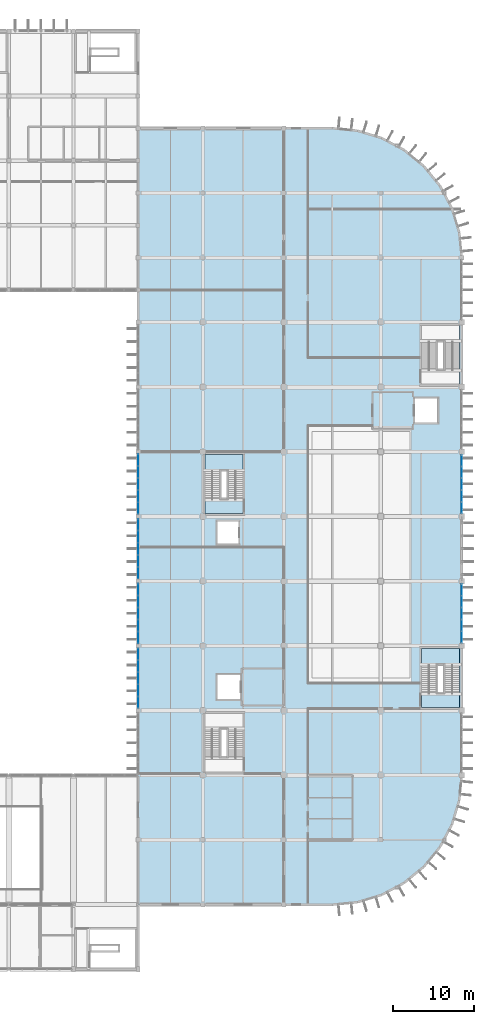
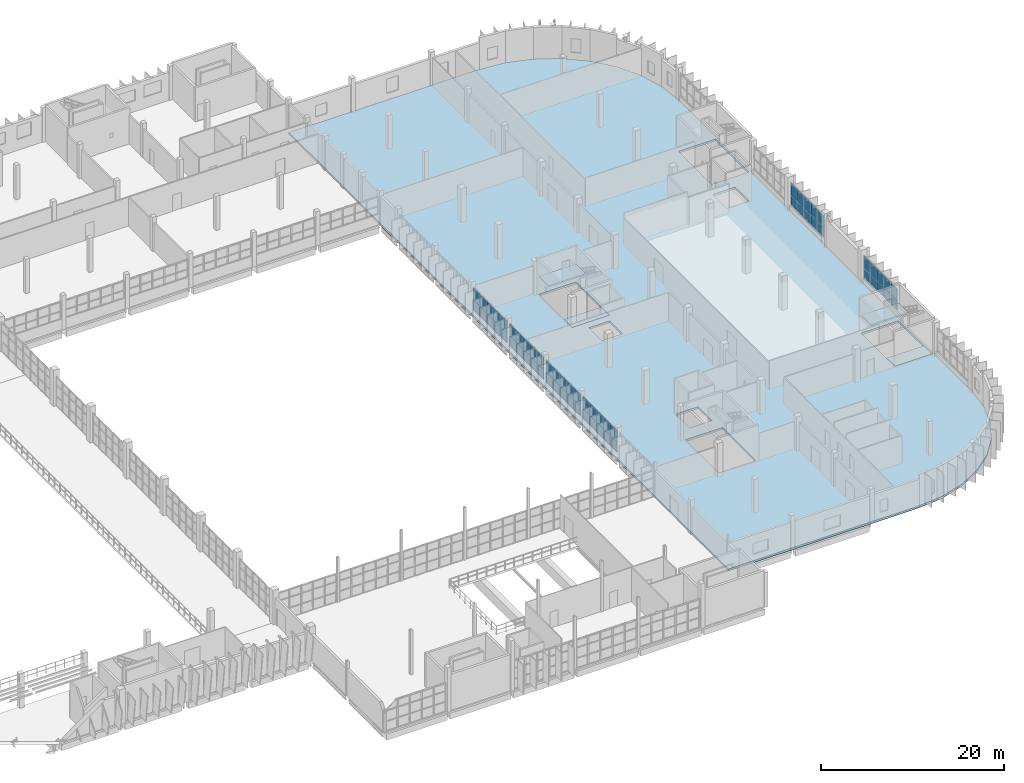
# One storey, part 61 of 93: 60 plates, 5 slabs, 8 elements without a shape of their own.
"""IFC4 building model written with IfcOpenShell, lengths in metres."""

from ifc_helpers import new_model, si_unit, direction, frame, origin, origin_2d, place, context, subcontext, project, spatial, polyline, rectangle, outline, extrude, material, layer, layer_set, type_object, element, aggregate, save


model = new_model("IFC4")

# Units and contexts
model_context = context("Model", 3, precision=1e-05, world=origin(), true_north=direction((0.0, 1.0)))
body_context = subcontext(model_context, "Body", "Model", "MODEL_VIEW")
ifc_project = project(units=[si_unit("LENGTHUNIT", "METRE"), si_unit("AREAUNIT", "SQUARE_METRE"), si_unit("VOLUMEUNIT", "CUBIC_METRE"), si_unit("PLANEANGLEUNIT", "RADIAN"), si_unit("MASSUNIT", "GRAM", prefix="KILO")], contexts=[model_context])

# Site, building, storey
site_placement = place(None, origin())
site = spatial("IfcSite", under=ifc_project, at=site_placement, CompositionType="ELEMENT")
building_placement = place(site_placement, origin())
building = spatial("IfcBuilding", under=site, at=building_placement, Name="Drelvana Railside Aquatics Centre", CompositionType="ELEMENT")
storey_placement = place(building_placement, frame((0.0, 0.0, 5.39990234375)))
storey = spatial("IfcBuildingStorey", under=building, at=storey_placement, Name="L01", CompositionType="ELEMENT", Elevation=5.39990234375)

# Curtain wall, plates
ifc_material_1 = material(Name="Bronze-anodised aluminium curtain wall", Category="aluminium")
ifc_layer_1 = layer(ifc_material_1, 0.175048828125, Name="Bronze-anodised aluminium curtain wall")
ifc_layer_set_1 = layer_set([ifc_layer_1], Name="Bronze-anodised aluminium curtain wall")
curtain_wall_type = type_object("IfcCurtainWallType", Name="CW-Z6-WING", PredefinedType="NOTDEFINED", material=ifc_layer_set_1)
curtain_wall_1_placement = place(storey_placement, origin())
curtain_wall_1 = element("IfcCurtainWall", 1, at=curtain_wall_1_placement, inside=storey, type_object=curtain_wall_type, Name="Curtain wall CW-06-141", PredefinedType="NOTDEFINED")
ifc_material_2 = material(Name="Double-glazed low-e solar-control glass", Category="glass")
ifc_layer_2 = layer(ifc_material_2, 0.02392578125, Name="Double-glazed low-e solar-control glass")
ifc_layer_set_2 = layer_set([ifc_layer_2], Name="Double-glazed low-e solar-control glass")
plate_type = type_object("IfcPlateType", Name="CW-Z6-WING-PAN", PredefinedType="CURTAIN_PANEL", material=ifc_layer_set_2)
plate_1_placement = place(storey_placement, frame((144.0, 33.031494140625, 0.84912109375), z_axis=(0.0, 0.0, 1.0), x_axis=(0.0, 1.0, 0.0)))
plate_1 = element("IfcPlate", 2, at=plate_1_placement, type_object=plate_type, Name="CW-06 panel 1.1", PredefinedType="CURTAIN_PANEL", context=body_context, shape_type="SweptSolid", body=[
    extrude(rectangle(XDim=1.40478515625, YDim=0.02392578125, at=origin_2d()), origin(), (0.0, 0.0, 1.0), 1.27294921875),
])
plate_2_placement = place(storey_placement, frame((144.0, 33.031494140625, 2.171875), z_axis=(0.0, 0.0, 1.0), x_axis=(0.0, 1.0, 0.0)))
plate_2 = element("IfcPlate", 3, at=plate_2_placement, type_object=plate_type, Name="CW-06 panel 1.2", PredefinedType="CURTAIN_PANEL", context=body_context, shape_type="SweptSolid", body=[
    extrude(rectangle(XDim=1.40478515625, YDim=0.02392578125, at=origin_2d()), origin(), (0.0, 0.0, 1.0), 1.572998046875),
])
plate_3_placement = place(storey_placement, frame((144.0, 34.507568359375, 0.84912109375), z_axis=(0.0, 0.0, 1.0), x_axis=(0.0, 1.0, 0.0)))
plate_3 = element("IfcPlate", 4, at=plate_3_placement, type_object=plate_type, Name="CW-06 panel 2.1", PredefinedType="CURTAIN_PANEL", context=body_context, shape_type="SweptSolid", body=[
    extrude(rectangle(XDim=1.4375, YDim=0.02392578125, at=origin_2d()), origin(), (0.0, 0.0, 1.0), 1.27294921875),
])
plate_4_placement = place(storey_placement, frame((144.0, 34.507568359375, 2.171875), z_axis=(0.0, 0.0, 1.0), x_axis=(0.0, 1.0, 0.0)))
plate_4 = element("IfcPlate", 5, at=plate_4_placement, type_object=plate_type, Name="CW-06 panel 2.2", PredefinedType="CURTAIN_PANEL", context=body_context, shape_type="SweptSolid", body=[
    extrude(rectangle(XDim=1.4375, YDim=0.02392578125, at=origin_2d()), origin(), (0.0, 0.0, 1.0), 1.572998046875),
])
plate_5_placement = place(storey_placement, frame((144.0, 36.0, 0.84912109375), z_axis=(0.0, 0.0, 1.0), x_axis=(0.0, 1.0, 0.0)))
plate_5 = element("IfcPlate", 6, at=plate_5_placement, type_object=plate_type, Name="CW-06 panel 3.1", PredefinedType="CURTAIN_PANEL", context=body_context, shape_type="SweptSolid", body=[
    extrude(rectangle(XDim=1.4375, YDim=0.02392578125, at=origin_2d()), origin(), (0.0, 0.0, 1.0), 1.27294921875),
])
plate_6_placement = place(storey_placement, frame((144.0, 36.0, 2.171875), z_axis=(0.0, 0.0, 1.0), x_axis=(0.0, 1.0, 0.0)))
plate_6 = element("IfcPlate", 7, at=plate_6_placement, type_object=plate_type, Name="CW-06 panel 3.2", PredefinedType="CURTAIN_PANEL", context=body_context, shape_type="SweptSolid", body=[
    extrude(rectangle(XDim=1.4375, YDim=0.02392578125, at=origin_2d()), origin(), (0.0, 0.0, 1.0), 1.572998046875),
])
plate_7_placement = place(storey_placement, frame((144.0, 37.492431640625, 0.84912109375), z_axis=(0.0, 0.0, 1.0), x_axis=(0.0, 1.0, 0.0)))
plate_7 = element("IfcPlate", 8, at=plate_7_placement, type_object=plate_type, Name="CW-06 panel 4.1", PredefinedType="CURTAIN_PANEL", context=body_context, shape_type="SweptSolid", body=[
    extrude(rectangle(XDim=1.4375, YDim=0.02392578125, at=origin_2d()), origin(), (0.0, 0.0, 1.0), 1.27294921875),
])
plate_8_placement = place(storey_placement, frame((144.0, 37.492431640625, 2.171875), z_axis=(0.0, 0.0, 1.0), x_axis=(0.0, 1.0, 0.0)))
plate_8 = element("IfcPlate", 9, at=plate_8_placement, type_object=plate_type, Name="CW-06 panel 4.2", PredefinedType="CURTAIN_PANEL", context=body_context, shape_type="SweptSolid", body=[
    extrude(rectangle(XDim=1.4375, YDim=0.02392578125, at=origin_2d()), origin(), (0.0, 0.0, 1.0), 1.572998046875),
])
plate_9_placement = place(storey_placement, frame((144.0, 38.968505859375, 0.84912109375), z_axis=(0.0, 0.0, 1.0), x_axis=(0.0, 1.0, 0.0)))
plate_9 = element("IfcPlate", 10, at=plate_9_placement, type_object=plate_type, Name="CW-06 panel 5.1", PredefinedType="CURTAIN_PANEL", context=body_context, shape_type="SweptSolid", body=[
    extrude(rectangle(XDim=1.40478515625, YDim=0.02392578125, at=origin_2d()), origin(), (0.0, 0.0, 1.0), 1.27294921875),
])
plate_10_placement = place(storey_placement, frame((144.0, 38.968505859375, 2.171875), z_axis=(0.0, 0.0, 1.0), x_axis=(0.0, 1.0, 0.0)))
plate_10 = element("IfcPlate", 11, at=plate_10_placement, type_object=plate_type, Name="CW-06 panel 5.2", PredefinedType="CURTAIN_PANEL", context=body_context, shape_type="SweptSolid", body=[
    extrude(rectangle(XDim=1.40478515625, YDim=0.02392578125, at=origin_2d()), origin(), (0.0, 0.0, 1.0), 1.572998046875),
])
aggregate(curtain_wall_1, [plate_1, plate_2, plate_3, plate_4, plate_5, plate_6, plate_7, plate_8, plate_9, plate_10])

curtain_wall_2_placement = place(storey_placement, origin())
curtain_wall_2 = element("IfcCurtainWall", 12, at=curtain_wall_2_placement, inside=storey, type_object=curtain_wall_type, Name="Curtain wall CW-06-145", PredefinedType="NOTDEFINED")
plate_11_placement = place(storey_placement, frame((144.0, 41.031494140625, 0.84912109375), z_axis=(0.0, 0.0, 1.0), x_axis=(0.0, 1.0, 0.0)))
plate_11 = element("IfcPlate", 13, at=plate_11_placement, type_object=plate_type, Name="CW-06 panel 1.1", PredefinedType="CURTAIN_PANEL", context=body_context, shape_type="SweptSolid", body=[
    extrude(rectangle(XDim=1.40478515625, YDim=0.02392578125, at=origin_2d()), origin(), (0.0, 0.0, 1.0), 1.27294921875),
])
plate_12_placement = place(storey_placement, frame((144.0, 41.031494140625, 2.171875), z_axis=(0.0, 0.0, 1.0), x_axis=(0.0, 1.0, 0.0)))
plate_12 = element("IfcPlate", 14, at=plate_12_placement, type_object=plate_type, Name="CW-06 panel 1.2", PredefinedType="CURTAIN_PANEL", context=body_context, shape_type="SweptSolid", body=[
    extrude(rectangle(XDim=1.40478515625, YDim=0.02392578125, at=origin_2d()), origin(), (0.0, 0.0, 1.0), 1.572998046875),
])
plate_13_placement = place(storey_placement, frame((144.0, 42.507568359375, 0.84912109375), z_axis=(0.0, 0.0, 1.0), x_axis=(0.0, 1.0, 0.0)))
plate_13 = element("IfcPlate", 15, at=plate_13_placement, type_object=plate_type, Name="CW-06 panel 2.1", PredefinedType="CURTAIN_PANEL", context=body_context, shape_type="SweptSolid", body=[
    extrude(rectangle(XDim=1.4375, YDim=0.02392578125, at=origin_2d()), origin(), (0.0, 0.0, 1.0), 1.27294921875),
])
plate_14_placement = place(storey_placement, frame((144.0, 42.507568359375, 2.171875), z_axis=(0.0, 0.0, 1.0), x_axis=(0.0, 1.0, 0.0)))
plate_14 = element("IfcPlate", 16, at=plate_14_placement, type_object=plate_type, Name="CW-06 panel 2.2", PredefinedType="CURTAIN_PANEL", context=body_context, shape_type="SweptSolid", body=[
    extrude(rectangle(XDim=1.4375, YDim=0.02392578125, at=origin_2d()), origin(), (0.0, 0.0, 1.0), 1.572998046875),
])
plate_15_placement = place(storey_placement, frame((144.0, 44.0, 0.84912109375), z_axis=(0.0, 0.0, 1.0), x_axis=(0.0, 1.0, 0.0)))
plate_15 = element("IfcPlate", 17, at=plate_15_placement, type_object=plate_type, Name="CW-06 panel 3.1", PredefinedType="CURTAIN_PANEL", context=body_context, shape_type="SweptSolid", body=[
    extrude(rectangle(XDim=1.4375, YDim=0.02392578125, at=origin_2d()), origin(), (0.0, 0.0, 1.0), 1.27294921875),
])
plate_16_placement = place(storey_placement, frame((144.0, 44.0, 2.171875), z_axis=(0.0, 0.0, 1.0), x_axis=(0.0, 1.0, 0.0)))
plate_16 = element("IfcPlate", 18, at=plate_16_placement, type_object=plate_type, Name="CW-06 panel 3.2", PredefinedType="CURTAIN_PANEL", context=body_context, shape_type="SweptSolid", body=[
    extrude(rectangle(XDim=1.4375, YDim=0.02392578125, at=origin_2d()), origin(), (0.0, 0.0, 1.0), 1.572998046875),
])
plate_17_placement = place(storey_placement, frame((144.0, 45.492431640625, 0.84912109375), z_axis=(0.0, 0.0, 1.0), x_axis=(0.0, 1.0, 0.0)))
plate_17 = element("IfcPlate", 19, at=plate_17_placement, type_object=plate_type, Name="CW-06 panel 4.1", PredefinedType="CURTAIN_PANEL", context=body_context, shape_type="SweptSolid", body=[
    extrude(rectangle(XDim=1.4375, YDim=0.02392578125, at=origin_2d()), origin(), (0.0, 0.0, 1.0), 1.27294921875),
])
plate_18_placement = place(storey_placement, frame((144.0, 45.492431640625, 2.171875), z_axis=(0.0, 0.0, 1.0), x_axis=(0.0, 1.0, 0.0)))
plate_18 = element("IfcPlate", 20, at=plate_18_placement, type_object=plate_type, Name="CW-06 panel 4.2", PredefinedType="CURTAIN_PANEL", context=body_context, shape_type="SweptSolid", body=[
    extrude(rectangle(XDim=1.4375, YDim=0.02392578125, at=origin_2d()), origin(), (0.0, 0.0, 1.0), 1.572998046875),
])
plate_19_placement = place(storey_placement, frame((144.0, 46.968505859375, 0.84912109375), z_axis=(0.0, 0.0, 1.0), x_axis=(0.0, 1.0, 0.0)))
plate_19 = element("IfcPlate", 21, at=plate_19_placement, type_object=plate_type, Name="CW-06 panel 5.1", PredefinedType="CURTAIN_PANEL", context=body_context, shape_type="SweptSolid", body=[
    extrude(rectangle(XDim=1.40478515625, YDim=0.02392578125, at=origin_2d()), origin(), (0.0, 0.0, 1.0), 1.27294921875),
])
plate_20_placement = place(storey_placement, frame((144.0, 46.968505859375, 2.171875), z_axis=(0.0, 0.0, 1.0), x_axis=(0.0, 1.0, 0.0)))
plate_20 = element("IfcPlate", 22, at=plate_20_placement, type_object=plate_type, Name="CW-06 panel 5.2", PredefinedType="CURTAIN_PANEL", context=body_context, shape_type="SweptSolid", body=[
    extrude(rectangle(XDim=1.40478515625, YDim=0.02392578125, at=origin_2d()), origin(), (0.0, 0.0, 1.0), 1.572998046875),
])
aggregate(curtain_wall_2, [plate_11, plate_12, plate_13, plate_14, plate_15, plate_16, plate_17, plate_18, plate_19, plate_20])

curtain_wall_3_placement = place(storey_placement, origin())
curtain_wall_3 = element("IfcCurtainWall", 23, at=curtain_wall_3_placement, inside=storey, type_object=curtain_wall_type, Name="Curtain wall CW-06-149", PredefinedType="NOTDEFINED")
plate_21_placement = place(storey_placement, frame((144.0, 49.031494140625, 0.84912109375), z_axis=(0.0, 0.0, 1.0), x_axis=(0.0, 1.0, 0.0)))
plate_21 = element("IfcPlate", 24, at=plate_21_placement, type_object=plate_type, Name="CW-06 panel 1.1", PredefinedType="CURTAIN_PANEL", context=body_context, shape_type="SweptSolid", body=[
    extrude(rectangle(XDim=1.40478515625, YDim=0.02392578125, at=origin_2d()), origin(), (0.0, 0.0, 1.0), 1.27294921875),
])
plate_22_placement = place(storey_placement, frame((144.0, 49.031494140625, 2.171875), z_axis=(0.0, 0.0, 1.0), x_axis=(0.0, 1.0, 0.0)))
plate_22 = element("IfcPlate", 25, at=plate_22_placement, type_object=plate_type, Name="CW-06 panel 1.2", PredefinedType="CURTAIN_PANEL", context=body_context, shape_type="SweptSolid", body=[
    extrude(rectangle(XDim=1.40478515625, YDim=0.02392578125, at=origin_2d()), origin(), (0.0, 0.0, 1.0), 1.572998046875),
])
plate_23_placement = place(storey_placement, frame((144.0, 50.507568359375, 0.84912109375), z_axis=(0.0, 0.0, 1.0), x_axis=(0.0, 1.0, 0.0)))
plate_23 = element("IfcPlate", 26, at=plate_23_placement, type_object=plate_type, Name="CW-06 panel 2.1", PredefinedType="CURTAIN_PANEL", context=body_context, shape_type="SweptSolid", body=[
    extrude(rectangle(XDim=1.4375, YDim=0.02392578125, at=origin_2d()), origin(), (0.0, 0.0, 1.0), 1.27294921875),
])
plate_24_placement = place(storey_placement, frame((144.0, 50.507568359375, 2.171875), z_axis=(0.0, 0.0, 1.0), x_axis=(0.0, 1.0, 0.0)))
plate_24 = element("IfcPlate", 27, at=plate_24_placement, type_object=plate_type, Name="CW-06 panel 2.2", PredefinedType="CURTAIN_PANEL", context=body_context, shape_type="SweptSolid", body=[
    extrude(rectangle(XDim=1.4375, YDim=0.02392578125, at=origin_2d()), origin(), (0.0, 0.0, 1.0), 1.572998046875),
])
plate_25_placement = place(storey_placement, frame((144.0, 52.0, 0.84912109375), z_axis=(0.0, 0.0, 1.0), x_axis=(0.0, 1.0, 0.0)))
plate_25 = element("IfcPlate", 28, at=plate_25_placement, type_object=plate_type, Name="CW-06 panel 3.1", PredefinedType="CURTAIN_PANEL", context=body_context, shape_type="SweptSolid", body=[
    extrude(rectangle(XDim=1.4375, YDim=0.02392578125, at=origin_2d()), origin(), (0.0, 0.0, 1.0), 1.27294921875),
])
plate_26_placement = place(storey_placement, frame((144.0, 52.0, 2.171875), z_axis=(0.0, 0.0, 1.0), x_axis=(0.0, 1.0, 0.0)))
plate_26 = element("IfcPlate", 29, at=plate_26_placement, type_object=plate_type, Name="CW-06 panel 3.2", PredefinedType="CURTAIN_PANEL", context=body_context, shape_type="SweptSolid", body=[
    extrude(rectangle(XDim=1.4375, YDim=0.02392578125, at=origin_2d()), origin(), (0.0, 0.0, 1.0), 1.572998046875),
])
plate_27_placement = place(storey_placement, frame((144.0, 53.492431640625, 0.84912109375), z_axis=(0.0, 0.0, 1.0), x_axis=(0.0, 1.0, 0.0)))
plate_27 = element("IfcPlate", 30, at=plate_27_placement, type_object=plate_type, Name="CW-06 panel 4.1", PredefinedType="CURTAIN_PANEL", context=body_context, shape_type="SweptSolid", body=[
    extrude(rectangle(XDim=1.4375, YDim=0.02392578125, at=origin_2d()), origin(), (0.0, 0.0, 1.0), 1.27294921875),
])
plate_28_placement = place(storey_placement, frame((144.0, 53.492431640625, 2.171875), z_axis=(0.0, 0.0, 1.0), x_axis=(0.0, 1.0, 0.0)))
plate_28 = element("IfcPlate", 31, at=plate_28_placement, type_object=plate_type, Name="CW-06 panel 4.2", PredefinedType="CURTAIN_PANEL", context=body_context, shape_type="SweptSolid", body=[
    extrude(rectangle(XDim=1.4375, YDim=0.02392578125, at=origin_2d()), origin(), (0.0, 0.0, 1.0), 1.572998046875),
])
plate_29_placement = place(storey_placement, frame((144.0, 54.968505859375, 0.84912109375), z_axis=(0.0, 0.0, 1.0), x_axis=(0.0, 1.0, 0.0)))
plate_29 = element("IfcPlate", 32, at=plate_29_placement, type_object=plate_type, Name="CW-06 panel 5.1", PredefinedType="CURTAIN_PANEL", context=body_context, shape_type="SweptSolid", body=[
    extrude(rectangle(XDim=1.40478515625, YDim=0.02392578125, at=origin_2d()), origin(), (0.0, 0.0, 1.0), 1.27294921875),
])
plate_30_placement = place(storey_placement, frame((144.0, 54.968505859375, 2.171875), z_axis=(0.0, 0.0, 1.0), x_axis=(0.0, 1.0, 0.0)))
plate_30 = element("IfcPlate", 33, at=plate_30_placement, type_object=plate_type, Name="CW-06 panel 5.2", PredefinedType="CURTAIN_PANEL", context=body_context, shape_type="SweptSolid", body=[
    extrude(rectangle(XDim=1.40478515625, YDim=0.02392578125, at=origin_2d()), origin(), (0.0, 0.0, 1.0), 1.572998046875),
])
aggregate(curtain_wall_3, [plate_21, plate_22, plate_23, plate_24, plate_25, plate_26, plate_27, plate_28, plate_29, plate_30])

curtain_wall_4_placement = place(storey_placement, origin())
curtain_wall_4 = element("IfcCurtainWall", 34, at=curtain_wall_4_placement, inside=storey, type_object=curtain_wall_type, Name="Curtain wall CW-06-152", PredefinedType="NOTDEFINED")
plate_31_placement = place(storey_placement, frame((144.0, 57.031494140625, 0.84912109375), z_axis=(0.0, 0.0, 1.0), x_axis=(0.0, 1.0, 0.0)))
plate_31 = element("IfcPlate", 35, at=plate_31_placement, type_object=plate_type, Name="CW-06 panel 1.1", PredefinedType="CURTAIN_PANEL", context=body_context, shape_type="SweptSolid", body=[
    extrude(rectangle(XDim=1.40478515625, YDim=0.02392578125, at=origin_2d()), origin(), (0.0, 0.0, 1.0), 1.27294921875),
])
plate_32_placement = place(storey_placement, frame((144.0, 57.031494140625, 2.171875), z_axis=(0.0, 0.0, 1.0), x_axis=(0.0, 1.0, 0.0)))
plate_32 = element("IfcPlate", 36, at=plate_32_placement, type_object=plate_type, Name="CW-06 panel 1.2", PredefinedType="CURTAIN_PANEL", context=body_context, shape_type="SweptSolid", body=[
    extrude(rectangle(XDim=1.40478515625, YDim=0.02392578125, at=origin_2d()), origin(), (0.0, 0.0, 1.0), 1.572998046875),
])
plate_33_placement = place(storey_placement, frame((144.0, 58.507568359375, 0.84912109375), z_axis=(0.0, 0.0, 1.0), x_axis=(0.0, 1.0, 0.0)))
plate_33 = element("IfcPlate", 37, at=plate_33_placement, type_object=plate_type, Name="CW-06 panel 2.1", PredefinedType="CURTAIN_PANEL", context=body_context, shape_type="SweptSolid", body=[
    extrude(rectangle(XDim=1.4375, YDim=0.02392578125, at=origin_2d()), origin(), (0.0, 0.0, 1.0), 1.27294921875),
])
plate_34_placement = place(storey_placement, frame((144.0, 58.507568359375, 2.171875), z_axis=(0.0, 0.0, 1.0), x_axis=(0.0, 1.0, 0.0)))
plate_34 = element("IfcPlate", 38, at=plate_34_placement, type_object=plate_type, Name="CW-06 panel 2.2", PredefinedType="CURTAIN_PANEL", context=body_context, shape_type="SweptSolid", body=[
    extrude(rectangle(XDim=1.4375, YDim=0.02392578125, at=origin_2d()), origin(), (0.0, 0.0, 1.0), 1.572998046875),
])
plate_35_placement = place(storey_placement, frame((144.0, 60.0, 0.84912109375), z_axis=(0.0, 0.0, 1.0), x_axis=(0.0, 1.0, 0.0)))
plate_35 = element("IfcPlate", 39, at=plate_35_placement, type_object=plate_type, Name="CW-06 panel 3.1", PredefinedType="CURTAIN_PANEL", context=body_context, shape_type="SweptSolid", body=[
    extrude(rectangle(XDim=1.4375, YDim=0.02392578125, at=origin_2d()), origin(), (0.0, 0.0, 1.0), 1.27294921875),
])
plate_36_placement = place(storey_placement, frame((144.0, 60.0, 2.171875), z_axis=(0.0, 0.0, 1.0), x_axis=(0.0, 1.0, 0.0)))
plate_36 = element("IfcPlate", 40, at=plate_36_placement, type_object=plate_type, Name="CW-06 panel 3.2", PredefinedType="CURTAIN_PANEL", context=body_context, shape_type="SweptSolid", body=[
    extrude(rectangle(XDim=1.4375, YDim=0.02392578125, at=origin_2d()), origin(), (0.0, 0.0, 1.0), 1.572998046875),
])
plate_37_placement = place(storey_placement, frame((144.0, 61.492431640625, 0.84912109375), z_axis=(0.0, 0.0, 1.0), x_axis=(0.0, 1.0, 0.0)))
plate_37 = element("IfcPlate", 41, at=plate_37_placement, type_object=plate_type, Name="CW-06 panel 4.1", PredefinedType="CURTAIN_PANEL", context=body_context, shape_type="SweptSolid", body=[
    extrude(rectangle(XDim=1.4375, YDim=0.02392578125, at=origin_2d()), origin(), (0.0, 0.0, 1.0), 1.27294921875),
])
plate_38_placement = place(storey_placement, frame((144.0, 61.492431640625, 2.171875), z_axis=(0.0, 0.0, 1.0), x_axis=(0.0, 1.0, 0.0)))
plate_38 = element("IfcPlate", 42, at=plate_38_placement, type_object=plate_type, Name="CW-06 panel 4.2", PredefinedType="CURTAIN_PANEL", context=body_context, shape_type="SweptSolid", body=[
    extrude(rectangle(XDim=1.4375, YDim=0.02392578125, at=origin_2d()), origin(), (0.0, 0.0, 1.0), 1.572998046875),
])
plate_39_placement = place(storey_placement, frame((144.0, 62.968505859375, 0.84912109375), z_axis=(0.0, 0.0, 1.0), x_axis=(0.0, 1.0, 0.0)))
plate_39 = element("IfcPlate", 43, at=plate_39_placement, type_object=plate_type, Name="CW-06 panel 5.1", PredefinedType="CURTAIN_PANEL", context=body_context, shape_type="SweptSolid", body=[
    extrude(rectangle(XDim=1.40478515625, YDim=0.02392578125, at=origin_2d()), origin(), (0.0, 0.0, 1.0), 1.27294921875),
])
plate_40_placement = place(storey_placement, frame((144.0, 62.968505859375, 2.171875), z_axis=(0.0, 0.0, 1.0), x_axis=(0.0, 1.0, 0.0)))
plate_40 = element("IfcPlate", 44, at=plate_40_placement, type_object=plate_type, Name="CW-06 panel 5.2", PredefinedType="CURTAIN_PANEL", context=body_context, shape_type="SweptSolid", body=[
    extrude(rectangle(XDim=1.40478515625, YDim=0.02392578125, at=origin_2d()), origin(), (0.0, 0.0, 1.0), 1.572998046875),
])
aggregate(curtain_wall_4, [plate_31, plate_32, plate_33, plate_34, plate_35, plate_36, plate_37, plate_38, plate_39, plate_40])

curtain_wall_5_placement = place(storey_placement, origin())
curtain_wall_5 = element("IfcCurtainWall", 45, at=curtain_wall_5_placement, inside=storey, type_object=curtain_wall_type, Name="Curtain wall CW-06-171", PredefinedType="NOTDEFINED")
plate_41_placement = place(storey_placement, frame((184.0, 41.091552734375, 0.84912109375), z_axis=(0.0, 0.0, 1.0), x_axis=(0.0, 1.0, 0.0)))
plate_41 = element("IfcPlate", 46, at=plate_41_placement, type_object=plate_type, Name="CW-06 panel 1.1", PredefinedType="CURTAIN_PANEL", context=body_context, shape_type="SweptSolid", body=[
    extrude(rectangle(XDim=1.375, YDim=0.02392578125, at=origin_2d()), origin(), (0.0, 0.0, 1.0), 1.27294921875),
])
plate_42_placement = place(storey_placement, frame((184.0, 41.091552734375, 2.171875), z_axis=(0.0, 0.0, 1.0), x_axis=(0.0, 1.0, 0.0)))
plate_42 = element("IfcPlate", 47, at=plate_42_placement, type_object=plate_type, Name="CW-06 panel 1.2", PredefinedType="CURTAIN_PANEL", context=body_context, shape_type="SweptSolid", body=[
    extrude(rectangle(XDim=1.375, YDim=0.02392578125, at=origin_2d()), origin(), (0.0, 0.0, 1.0), 1.572998046875),
])
plate_43_placement = place(storey_placement, frame((184.0, 42.53759765625, 0.84912109375), z_axis=(0.0, 0.0, 1.0), x_axis=(0.0, 1.0, 0.0)))
plate_43 = element("IfcPlate", 48, at=plate_43_placement, type_object=plate_type, Name="CW-06 panel 2.1", PredefinedType="CURTAIN_PANEL", context=body_context, shape_type="SweptSolid", body=[
    extrude(rectangle(XDim=1.407470703125, YDim=0.02392578125, at=origin_2d()), origin(), (0.0, 0.0, 1.0), 1.27294921875),
])
plate_44_placement = place(storey_placement, frame((184.0, 42.53759765625, 2.171875), z_axis=(0.0, 0.0, 1.0), x_axis=(0.0, 1.0, 0.0)))
plate_44 = element("IfcPlate", 49, at=plate_44_placement, type_object=plate_type, Name="CW-06 panel 2.2", PredefinedType="CURTAIN_PANEL", context=body_context, shape_type="SweptSolid", body=[
    extrude(rectangle(XDim=1.407470703125, YDim=0.02392578125, at=origin_2d()), origin(), (0.0, 0.0, 1.0), 1.572998046875),
])
plate_45_placement = place(storey_placement, frame((184.0, 44.0, 0.84912109375), z_axis=(0.0, 0.0, 1.0), x_axis=(0.0, 1.0, 0.0)))
plate_45 = element("IfcPlate", 50, at=plate_45_placement, type_object=plate_type, Name="CW-06 panel 3.1", PredefinedType="CURTAIN_PANEL", context=body_context, shape_type="SweptSolid", body=[
    extrude(rectangle(XDim=1.407470703125, YDim=0.02392578125, at=origin_2d()), origin(), (0.0, 0.0, 1.0), 1.27294921875),
])
plate_46_placement = place(storey_placement, frame((184.0, 44.0, 2.171875), z_axis=(0.0, 0.0, 1.0), x_axis=(0.0, 1.0, 0.0)))
plate_46 = element("IfcPlate", 51, at=plate_46_placement, type_object=plate_type, Name="CW-06 panel 3.2", PredefinedType="CURTAIN_PANEL", context=body_context, shape_type="SweptSolid", body=[
    extrude(rectangle(XDim=1.407470703125, YDim=0.02392578125, at=origin_2d()), origin(), (0.0, 0.0, 1.0), 1.572998046875),
])
plate_47_placement = place(storey_placement, frame((184.0, 45.46240234375, 0.84912109375), z_axis=(0.0, 0.0, 1.0), x_axis=(0.0, 1.0, 0.0)))
plate_47 = element("IfcPlate", 52, at=plate_47_placement, type_object=plate_type, Name="CW-06 panel 4.1", PredefinedType="CURTAIN_PANEL", context=body_context, shape_type="SweptSolid", body=[
    extrude(rectangle(XDim=1.407470703125, YDim=0.02392578125, at=origin_2d()), origin(), (0.0, 0.0, 1.0), 1.27294921875),
])
plate_48_placement = place(storey_placement, frame((184.0, 45.46240234375, 2.171875), z_axis=(0.0, 0.0, 1.0), x_axis=(0.0, 1.0, 0.0)))
plate_48 = element("IfcPlate", 53, at=plate_48_placement, type_object=plate_type, Name="CW-06 panel 4.2", PredefinedType="CURTAIN_PANEL", context=body_context, shape_type="SweptSolid", body=[
    extrude(rectangle(XDim=1.407470703125, YDim=0.02392578125, at=origin_2d()), origin(), (0.0, 0.0, 1.0), 1.572998046875),
])
plate_49_placement = place(storey_placement, frame((184.0, 46.908447265625, 0.84912109375), z_axis=(0.0, 0.0, 1.0), x_axis=(0.0, 1.0, 0.0)))
plate_49 = element("IfcPlate", 54, at=plate_49_placement, type_object=plate_type, Name="CW-06 panel 5.1", PredefinedType="CURTAIN_PANEL", context=body_context, shape_type="SweptSolid", body=[
    extrude(rectangle(XDim=1.375, YDim=0.02392578125, at=origin_2d()), origin(), (0.0, 0.0, 1.0), 1.27294921875),
])
plate_50_placement = place(storey_placement, frame((184.0, 46.908447265625, 2.171875), z_axis=(0.0, 0.0, 1.0), x_axis=(0.0, 1.0, 0.0)))
plate_50 = element("IfcPlate", 55, at=plate_50_placement, type_object=plate_type, Name="CW-06 panel 5.2", PredefinedType="CURTAIN_PANEL", context=body_context, shape_type="SweptSolid", body=[
    extrude(rectangle(XDim=1.375, YDim=0.02392578125, at=origin_2d()), origin(), (0.0, 0.0, 1.0), 1.572998046875),
])
aggregate(curtain_wall_5, [plate_41, plate_42, plate_43, plate_44, plate_45, plate_46, plate_47, plate_48, plate_49, plate_50])

curtain_wall_6_placement = place(storey_placement, origin())
curtain_wall_6 = element("IfcCurtainWall", 56, at=curtain_wall_6_placement, inside=storey, type_object=curtain_wall_type, Name="Curtain wall CW-06-176", PredefinedType="NOTDEFINED")
plate_51_placement = place(storey_placement, frame((184.0, 57.091552734375, 0.84912109375), z_axis=(0.0, 0.0, 1.0), x_axis=(0.0, 1.0, 0.0)))
plate_51 = element("IfcPlate", 57, at=plate_51_placement, type_object=plate_type, Name="CW-06 panel 1.1", PredefinedType="CURTAIN_PANEL", context=body_context, shape_type="SweptSolid", body=[
    extrude(rectangle(XDim=1.375, YDim=0.02392578125, at=origin_2d()), origin(), (0.0, 0.0, 1.0), 1.27294921875),
])
plate_52_placement = place(storey_placement, frame((184.0, 57.091552734375, 2.171875), z_axis=(0.0, 0.0, 1.0), x_axis=(0.0, 1.0, 0.0)))
plate_52 = element("IfcPlate", 58, at=plate_52_placement, type_object=plate_type, Name="CW-06 panel 1.2", PredefinedType="CURTAIN_PANEL", context=body_context, shape_type="SweptSolid", body=[
    extrude(rectangle(XDim=1.375, YDim=0.02392578125, at=origin_2d()), origin(), (0.0, 0.0, 1.0), 1.572998046875),
])
plate_53_placement = place(storey_placement, frame((184.0, 58.53759765625, 0.84912109375), z_axis=(0.0, 0.0, 1.0), x_axis=(0.0, 1.0, 0.0)))
plate_53 = element("IfcPlate", 59, at=plate_53_placement, type_object=plate_type, Name="CW-06 panel 2.1", PredefinedType="CURTAIN_PANEL", context=body_context, shape_type="SweptSolid", body=[
    extrude(rectangle(XDim=1.407470703125, YDim=0.02392578125, at=origin_2d()), origin(), (0.0, 0.0, 1.0), 1.27294921875),
])
plate_54_placement = place(storey_placement, frame((184.0, 58.53759765625, 2.171875), z_axis=(0.0, 0.0, 1.0), x_axis=(0.0, 1.0, 0.0)))
plate_54 = element("IfcPlate", 60, at=plate_54_placement, type_object=plate_type, Name="CW-06 panel 2.2", PredefinedType="CURTAIN_PANEL", context=body_context, shape_type="SweptSolid", body=[
    extrude(rectangle(XDim=1.407470703125, YDim=0.02392578125, at=origin_2d()), origin(), (0.0, 0.0, 1.0), 1.572998046875),
])
plate_55_placement = place(storey_placement, frame((184.0, 60.0, 0.84912109375), z_axis=(0.0, 0.0, 1.0), x_axis=(0.0, 1.0, 0.0)))
plate_55 = element("IfcPlate", 61, at=plate_55_placement, type_object=plate_type, Name="CW-06 panel 3.1", PredefinedType="CURTAIN_PANEL", context=body_context, shape_type="SweptSolid", body=[
    extrude(rectangle(XDim=1.407470703125, YDim=0.02392578125, at=origin_2d()), origin(), (0.0, 0.0, 1.0), 1.27294921875),
])
plate_56_placement = place(storey_placement, frame((184.0, 60.0, 2.171875), z_axis=(0.0, 0.0, 1.0), x_axis=(0.0, 1.0, 0.0)))
plate_56 = element("IfcPlate", 62, at=plate_56_placement, type_object=plate_type, Name="CW-06 panel 3.2", PredefinedType="CURTAIN_PANEL", context=body_context, shape_type="SweptSolid", body=[
    extrude(rectangle(XDim=1.407470703125, YDim=0.02392578125, at=origin_2d()), origin(), (0.0, 0.0, 1.0), 1.572998046875),
])
plate_57_placement = place(storey_placement, frame((184.0, 61.46240234375, 0.84912109375), z_axis=(0.0, 0.0, 1.0), x_axis=(0.0, 1.0, 0.0)))
plate_57 = element("IfcPlate", 63, at=plate_57_placement, type_object=plate_type, Name="CW-06 panel 4.1", PredefinedType="CURTAIN_PANEL", context=body_context, shape_type="SweptSolid", body=[
    extrude(rectangle(XDim=1.407470703125, YDim=0.02392578125, at=origin_2d()), origin(), (0.0, 0.0, 1.0), 1.27294921875),
])
plate_58_placement = place(storey_placement, frame((184.0, 61.46240234375, 2.171875), z_axis=(0.0, 0.0, 1.0), x_axis=(0.0, 1.0, 0.0)))
plate_58 = element("IfcPlate", 64, at=plate_58_placement, type_object=plate_type, Name="CW-06 panel 4.2", PredefinedType="CURTAIN_PANEL", context=body_context, shape_type="SweptSolid", body=[
    extrude(rectangle(XDim=1.407470703125, YDim=0.02392578125, at=origin_2d()), origin(), (0.0, 0.0, 1.0), 1.572998046875),
])
plate_59_placement = place(storey_placement, frame((184.0, 62.908447265625, 0.84912109375), z_axis=(0.0, 0.0, 1.0), x_axis=(0.0, 1.0, 0.0)))
plate_59 = element("IfcPlate", 65, at=plate_59_placement, type_object=plate_type, Name="CW-06 panel 5.1", PredefinedType="CURTAIN_PANEL", context=body_context, shape_type="SweptSolid", body=[
    extrude(rectangle(XDim=1.375, YDim=0.02392578125, at=origin_2d()), origin(), (0.0, 0.0, 1.0), 1.27294921875),
])
plate_60_placement = place(storey_placement, frame((184.0, 62.908447265625, 2.171875), z_axis=(0.0, 0.0, 1.0), x_axis=(0.0, 1.0, 0.0)))
plate_60 = element("IfcPlate", 66, at=plate_60_placement, type_object=plate_type, Name="CW-06 panel 5.2", PredefinedType="CURTAIN_PANEL", context=body_context, shape_type="SweptSolid", body=[
    extrude(rectangle(XDim=1.375, YDim=0.02392578125, at=origin_2d()), origin(), (0.0, 0.0, 1.0), 1.572998046875),
])
aggregate(curtain_wall_6, [plate_51, plate_52, plate_53, plate_54, plate_55, plate_56, plate_57, plate_58, plate_59, plate_60])

# Slabs
ifc_material_3 = material(Name="Concrete C40/50", Category="concrete")
ifc_layer_3 = layer(ifc_material_3, 0.27490234375, Name="Concrete C40/50")
ifc_layer_set_3 = layer_set([ifc_layer_3], Name="Concrete C40/50")
slab_type_1 = type_object("IfcSlabType", Name="SL-L01-275", PredefinedType="FLOOR", material=ifc_layer_set_3)
slab_1_placement = place(storey_placement, frame((0.0, 0.0, -0.27490234375)))
element("IfcSlab", 67, at=slab_1_placement, inside=storey, type_object=slab_type_1, Name="Fitness Wing L01 floor slab", PredefinedType="FLOOR", context=body_context, shape_type="SweptSolid", body=[
    extrude(outline(polyline([(144.0, 8.0), (168.0, 8.0), (171.121337890625, 8.307373046875), (174.123046875, 9.218017578125), (176.88916015625, 10.696533203125), (179.313720703125, 12.686279296875), (181.303466796875, 15.11083984375), (182.781982421875, 17.876953125), (183.692626953125, 20.878662109375), (184.0, 24.0), (184.0, 88.0), (183.692626953125, 91.121337890625), (182.781982421875, 94.123046875), (181.303466796875, 96.88916015625), (179.313720703125, 99.313720703125), (176.88916015625, 101.303466796875), (174.123046875, 102.781982421875), (171.121337890625, 103.692626953125), (168.0, 104.0), (144.0, 104.0), (144.0, 8.0)]), holes=[polyline([(152.25, 24.409912109375), (156.949951171875, 24.409912109375), (156.949951171875, 31.64990234375), (152.25, 31.64990234375), (152.25, 24.409912109375)]), polyline([(153.800048828125, 33.39990234375), (156.60009765625, 33.39990234375), (156.60009765625, 36.39990234375), (153.800048828125, 36.39990234375), (153.800048828125, 33.39990234375)]), polyline([(179.050048828125, 72.35009765625), (183.75, 72.35009765625), (183.75, 79.590087890625), (179.050048828125, 79.590087890625), (179.050048828125, 72.35009765625)]), polyline([(178.199951171875, 67.60009765625), (181.0, 67.60009765625), (181.0, 70.60009765625), (178.199951171875, 70.60009765625), (178.199951171875, 67.60009765625)]), polyline([(152.25, 56.35009765625), (156.949951171875, 56.35009765625), (156.949951171875, 63.64990234375), (152.25, 63.64990234375), (152.25, 56.35009765625)]), polyline([(153.800048828125, 52.60009765625), (156.39990234375, 52.60009765625), (156.39990234375, 55.39990234375), (153.800048828125, 55.39990234375), (153.800048828125, 52.60009765625)]), polyline([(179.050048828125, 32.35009765625), (183.75, 32.35009765625), (183.75, 39.64990234375), (179.050048828125, 39.64990234375), (179.050048828125, 32.35009765625)])]), origin(), (0.0, 0.0, 1.0), 0.27490234375),
])
ifc_layer_4 = layer(ifc_material_3, 0.199951171875, Name="Concrete C40/50")
ifc_layer_set_4 = layer_set([ifc_layer_4], Name="Concrete C40/50")
slab_type_2 = type_object("IfcSlabType", Name="SL-LAND-200", PredefinedType="LANDING", material=ifc_layer_set_4)
slab_2_placement = place(storey_placement, frame((0.0, 0.0, -0.199951171875)))
element("IfcSlab", 68, at=slab_2_placement, inside=storey, type_object=slab_type_2, Name="Stair ST-08 L01 floor landing", PredefinedType="LANDING", context=body_context, shape_type="SweptSolid", body=[
    extrude(outline(polyline([(152.25, 56.35009765625), (156.949951171875, 56.35009765625), (156.949951171875, 58.14990234375), (152.25, 58.14990234375), (152.25, 56.35009765625)])), origin(), (0.0, 0.0, 1.0), 0.199951171875),
])

# Stair, slab
stair_type = type_object("IfcStairType", Name="ST-CORE-W170", PredefinedType="HALF_TURN_STAIR", material=ifc_material_3)
stair_1_placement = place(storey_placement, origin())
stair_1 = element("IfcStair", 69, at=stair_1_placement, inside=storey, type_object=stair_type, Name="Exit stair ST-08 (L01 to L02)", PredefinedType="HALF_TURN_STAIR")
slab_3_placement = place(storey_placement, frame((0.0, 0.0, 2.2001953125)))
slab_3 = element("IfcSlab", 70, at=slab_3_placement, type_object=slab_type_2, Name="ST-WD landing 1", PredefinedType="LANDING", context=body_context, shape_type="SweptSolid", body=[
    extrude(outline(polyline([(152.25, 61.530029296875), (156.949951171875, 61.530029296875), (156.949951171875, 63.64990234375), (152.25, 63.64990234375), (152.25, 61.530029296875)])), origin(), (0.0, 0.0, 1.0), 0.199951171875),
])
aggregate(stair_1, [slab_3])

# Slab
slab_4_placement = place(storey_placement, frame((0.0, 0.0, -0.199951171875)))
element("IfcSlab", 71, at=slab_4_placement, inside=storey, type_object=slab_type_2, Name="Stair ST-09 L01 floor landing", PredefinedType="LANDING", context=body_context, shape_type="SweptSolid", body=[
    extrude(outline(polyline([(179.050048828125, 32.35009765625), (183.75, 32.35009765625), (183.75, 34.14990234375), (179.050048828125, 34.14990234375), (179.050048828125, 32.35009765625)])), origin(), (0.0, 0.0, 1.0), 0.199951171875),
])

# Stair, slab
stair_2_placement = place(storey_placement, origin())
stair_2 = element("IfcStair", 72, at=stair_2_placement, inside=storey, type_object=stair_type, Name="Exit stair ST-09 (L01 to L02)", PredefinedType="HALF_TURN_STAIR")
slab_5_placement = place(storey_placement, frame((0.0, 0.0, 2.2001953125)))
slab_5 = element("IfcSlab", 73, at=slab_5_placement, type_object=slab_type_2, Name="ST-WD landing 1", PredefinedType="LANDING", context=body_context, shape_type="SweptSolid", body=[
    extrude(outline(polyline([(179.050048828125, 37.530029296875), (183.75, 37.530029296875), (183.75, 39.64990234375), (179.050048828125, 39.64990234375), (179.050048828125, 37.530029296875)])), origin(), (0.0, 0.0, 1.0), 0.199951171875),
])
aggregate(stair_2, [slab_5])

save(model, "model.ifc")
